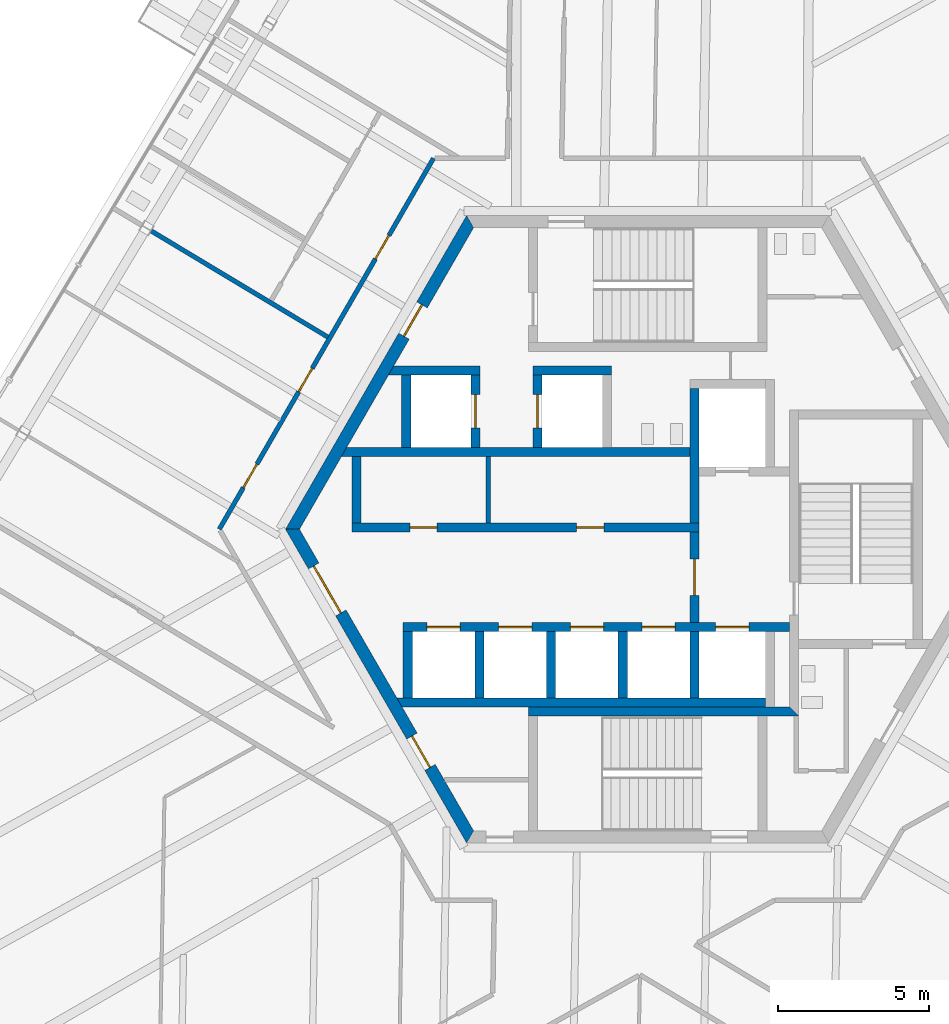
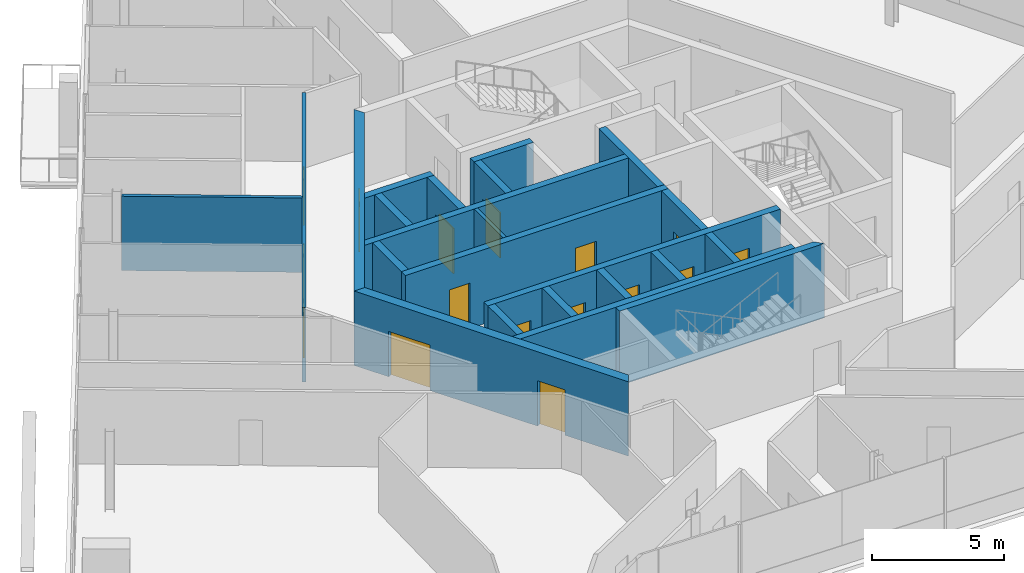
# One storey, part 12 of 19: 23 walls, 16 doors, 16 openings.
"""IFC4 building model written with IfcOpenShell, lengths in metres."""

from ifc_helpers import new_model, si_unit, direction, frame, frame_2d, origin, place, context, subcontext, project, spatial, polyline, rectangle, outline, extrude, source, transform, mapped, material, layer, layer_set, type_object, element, fill, save


model = new_model("IFC4")

# Units and contexts
model_context = context("Model", 3, precision=1e-05, world=origin(), true_north=direction((0.0, 1.0)))
body_context = subcontext(model_context, "Body", "Model", "MODEL_VIEW")
ifc_project = project(units=[si_unit("LENGTHUNIT", "METRE"), si_unit("AREAUNIT", "SQUARE_METRE"), si_unit("VOLUMEUNIT", "CUBIC_METRE"), si_unit("PLANEANGLEUNIT", "RADIAN"), si_unit("MASSUNIT", "GRAM", prefix="KILO")], contexts=[model_context])

# Site, building, storey
site_placement = place(None, origin())
site = spatial("IfcSite", under=ifc_project, at=site_placement, CompositionType="ELEMENT")
building_placement = place(site_placement, origin())
building = spatial("IfcBuilding", under=site, at=building_placement, Name="Triune Harvest Tower", CompositionType="ELEMENT")
storey_placement = place(building_placement, frame((0.0, 0.0, 183.5)))
storey = spatial("IfcBuildingStorey", under=building, at=storey_placement, Name="L47", CompositionType="ELEMENT", Elevation=183.5)

# Wall, opening, door
ifc_material_1 = material(Name="Concrete 70 MPa", Category="concrete")
ifc_layer_1 = layer(ifc_material_1, 0.39990234375)
ifc_layer_set_1 = layer_set([ifc_layer_1], Name="Concrete 70 MPa")
wall_type_1 = type_object("IfcWallType", Name="Core wall 400", PredefinedType="SHEAR", material=ifc_layer_set_1)
shared_shape_1 = source(origin(), body_context, "Body", "SweptSolid", [
    extrude(outline(polyline([(-0.115478515625, -0.199951171875), (11.884521484375, -0.199951171875), (11.653564453125, 0.199951171875), (0.115478515625, 0.199951171875), (-0.115478515625, -0.199951171875)])), origin(), (0.0, 0.0, 1.0), 3.43994140625),
])
wall_1_placement = place(storey_placement, frame((-5.884521484375, 10.1923828125, 0.0), z_axis=(0.0, 0.0, 1.0), x_axis=(-0.499996592174, -0.866027371285, 0.0)))
wall_1 = element("IfcWall", 1, at=wall_1_placement, inside=storey, type_object=wall_type_1, Name="Hexagon 2 wall", PredefinedType="SHEAR", context=body_context, shape_type="MappedRepresentation", body=[
    mapped(shared_shape_1, transform((0.0, 0.0, 0.0), scale=1.0)),
])
opening_1_placement = place(wall_1_placement, frame((3.1845703125, 0.0, 0.0)))
opening_1 = element("IfcOpeningElement", 2, at=opening_1_placement, cuts=wall_1, Name="Opening CD-SVP", PredefinedType="OPENING", context=body_context, shape_type="SweptSolid", body=[
    extrude(rectangle(XDim=1.199951171875, YDim=2.10009765625, at=frame_2d((0.60009765625, 1.050048828125))), frame((0.0, 0.2099609375, 0.0), z_axis=(0.0, -1.0, 0.0), x_axis=(1.0, 0.0, 0.0)), (0.0, 0.0, 1.0), 0.419921875),
])
ifc_material_2 = material(Name="Steel S235", Category="steel")
door_type_1 = type_object("IfcDoorType", Name="Service door 1200 FD120", OperationType="SINGLE_SWING_LEFT", PredefinedType="DOOR", material=ifc_material_2)
door_1_placement = place(opening_1_placement, frame((1.199951171875, 0.0, 0.0), z_axis=(0.0, 0.0, 1.0), x_axis=(-1.0, 0.0, 0.0)))
door_1 = element("IfcDoor", 3, at=door_1_placement, inside=storey, type_object=door_type_1, Name="Door CD-SVP", OperationType="SINGLE_SWING_RIGHT", OverallHeight=2.10009765625, OverallWidth=1.199951171875, PredefinedType="DOOR", context=body_context, shape_type="SweptSolid", body=[
    extrude(rectangle(XDim=1.199951171875, YDim=2.10009765625, at=frame_2d((0.60009765625, 1.050048828125))), frame((0.0, 0.02490234375, 0.0), z_axis=(0.0, -1.0, 0.0), x_axis=(1.0, 0.0, 0.0)), (0.0, 0.0, 1.0), 0.050048828125),
])
fill(opening_1, door_1)

# Wall, openings, doors
wall_2_placement = place(storey_placement, frame((-11.76904296875, 0.0, 0.0), z_axis=(0.0, 0.0, 1.0), x_axis=(0.499996592174, -0.866027371285, 0.0)))
wall_2 = element("IfcWall", 4, at=wall_2_placement, inside=storey, type_object=wall_type_1, Name="Hexagon 3 wall", PredefinedType="SHEAR", context=body_context, shape_type="MappedRepresentation", body=[
    mapped(shared_shape_1, transform((0.0, 0.0, 0.0), scale=1.0)),
])
opening_2_placement = place(wall_2_placement, frame((1.404541015625, 0.0, 0.0)))
opening_2 = element("IfcOpeningElement", 5, at=opening_2_placement, cuts=wall_2, Name="Opening CD-LS", PredefinedType="OPENING", context=body_context, shape_type="SweptSolid", body=[
    extrude(rectangle(XDim=1.800048828125, YDim=2.10009765625, at=frame_2d((0.89990234375, 1.050048828125))), frame((0.0, 0.2099609375, 0.0), z_axis=(0.0, -1.0, 0.0), x_axis=(1.0, 0.0, 0.0)), (0.0, 0.0, 1.0), 0.419921875),
])
opening_3_placement = place(wall_2_placement, frame((7.91455078125, 0.0, 0.0)))
opening_3 = element("IfcOpeningElement", 6, at=opening_3_placement, cuts=wall_2, Name="Opening CD-SWP", PredefinedType="OPENING", context=body_context, shape_type="SweptSolid", body=[
    extrude(rectangle(XDim=1.199951171875, YDim=2.10009765625, at=frame_2d((0.60009765625, 1.050048828125))), frame((0.0, 0.2099609375, 0.0), z_axis=(0.0, -1.0, 0.0), x_axis=(1.0, 0.0, 0.0)), (0.0, 0.0, 1.0), 0.419921875),
])
ifc_material_3 = material(Name="Steel S235", Category="steel")
door_type_2 = type_object("IfcDoorType", Name="Lobby door 1800 FD120", OperationType="DOUBLE_DOOR_DOUBLE_SWING", PredefinedType="DOOR", material=ifc_material_3)
door_2_placement = place(opening_2_placement, frame((1.800048828125, 0.0, 0.0), z_axis=(0.0, 0.0, 1.0), x_axis=(-1.0, 0.0, 0.0)))
door_2 = element("IfcDoor", 7, at=door_2_placement, inside=storey, type_object=door_type_2, Name="Door CD-LS", OperationType="DOUBLE_DOOR_DOUBLE_SWING", OverallHeight=2.10009765625, OverallWidth=1.800048828125, PredefinedType="DOOR", context=body_context, shape_type="SweptSolid", body=[
    extrude(rectangle(XDim=1.800048828125, YDim=2.10009765625, at=frame_2d((0.89990234375, 1.050048828125))), frame((0.0, 0.02490234375, 0.0), z_axis=(0.0, -1.0, 0.0), x_axis=(1.0, 0.0, 0.0)), (0.0, 0.0, 1.0), 0.050048828125),
])
fill(opening_2, door_2)
door_3_placement = place(opening_3_placement, frame((1.199951171875, 0.0, 0.0), z_axis=(0.0, 0.0, 1.0), x_axis=(-1.0, 0.0, 0.0)))
door_3 = element("IfcDoor", 8, at=door_3_placement, inside=storey, type_object=door_type_1, Name="Door CD-SWP", OperationType="SINGLE_SWING_RIGHT", OverallHeight=2.10009765625, OverallWidth=1.199951171875, PredefinedType="DOOR", context=body_context, shape_type="SweptSolid", body=[
    extrude(rectangle(XDim=1.199951171875, YDim=2.10009765625, at=frame_2d((0.60009765625, 1.050048828125))), frame((0.0, 0.02490234375, 0.0), z_axis=(0.0, -1.0, 0.0), x_axis=(1.0, 0.0, 0.0)), (0.0, 0.0, 1.0), 0.050048828125),
])
fill(opening_3, door_3)

ifc_material_4 = material(Name="Concrete 70 MPa", Category="concrete")
ifc_layer_2 = layer(ifc_material_4, 0.300048828125)
ifc_layer_set_2 = layer_set([ifc_layer_2], Name="Concrete 70 MPa")
wall_type_2 = type_object("IfcWallType", Name="Core wall 300", PredefinedType="SHEAR", material=ifc_layer_set_2)
shared_shape_2 = source(origin(), body_context, "Body", "SweptSolid", [
    extrude(rectangle(XDim=11.5, YDim=0.300048828125, at=frame_2d((5.75, 0.0))), origin(), (0.0, 0.0, 1.0), 3.43994140625),
])
wall_3_placement = place(storey_placement, frame((-9.800048828125, 0.06005859375, 0.0), z_axis=(0.0, 0.0, 1.0), x_axis=(1.0, 0.0, 0.0)))
wall_3 = element("IfcWall", 9, at=wall_3_placement, inside=storey, type_object=wall_type_2, Name="North front wall", PredefinedType="SHEAR", context=body_context, shape_type="MappedRepresentation", body=[
    mapped(shared_shape_2, transform((0.0, 0.0, 0.0), scale=1.0)),
])
opening_4_placement = place(wall_3_placement, frame((1.922607421875, 0.0, 0.0)))
opening_4 = element("IfcOpeningElement", 10, at=opening_4_placement, cuts=wall_3, Name="Opening CD-RN1", PredefinedType="OPENING", context=body_context, shape_type="SweptSolid", body=[
    extrude(rectangle(XDim=0.89990234375, YDim=2.10009765625, at=frame_2d((0.449951171875, 1.050048828125))), frame((0.0, 0.16015625, 0.0), z_axis=(0.0, -1.0, 0.0), x_axis=(1.0, 0.0, 0.0)), (0.0, 0.0, 1.0), 0.320068359375),
])
opening_5_placement = place(wall_3_placement, frame((7.447509765625, 0.0, 0.0)))
opening_5 = element("IfcOpeningElement", 11, at=opening_5_placement, cuts=wall_3, Name="Opening CD-RN2", PredefinedType="OPENING", context=body_context, shape_type="SweptSolid", body=[
    extrude(rectangle(XDim=0.89990234375, YDim=2.10009765625, at=frame_2d((0.449951171875, 1.050048828125))), frame((0.0, 0.16015625, 0.0), z_axis=(0.0, -1.0, 0.0), x_axis=(1.0, 0.0, 0.0)), (0.0, 0.0, 1.0), 0.320068359375),
])
ifc_material_5 = material(Name="Steel S235", Category="steel")
door_type_3 = type_object("IfcDoorType", Name="Riser door 900 FD120", OperationType="SINGLE_SWING_LEFT", PredefinedType="DOOR", material=ifc_material_5)
door_4_placement = place(opening_4_placement, frame((0.89990234375, 0.0, 0.0), z_axis=(0.0, 0.0, 1.0), x_axis=(-1.0, 0.0, 0.0)))
door_4 = element("IfcDoor", 12, at=door_4_placement, inside=storey, type_object=door_type_3, Name="Door CD-RN1", OperationType="SINGLE_SWING_RIGHT", OverallHeight=2.10009765625, OverallWidth=0.89990234375, PredefinedType="DOOR", context=body_context, shape_type="SweptSolid", body=[
    extrude(rectangle(XDim=0.89990234375, YDim=2.10009765625, at=frame_2d((0.449951171875, 1.050048828125))), frame((0.0, 0.02490234375, 0.0), z_axis=(0.0, -1.0, 0.0), x_axis=(1.0, 0.0, 0.0)), (0.0, 0.0, 1.0), 0.050048828125),
])
fill(opening_4, door_4)
door_5_placement = place(opening_5_placement, frame((0.89990234375, 0.0, 0.0), z_axis=(0.0, 0.0, 1.0), x_axis=(-1.0, 0.0, 0.0)))
door_5 = element("IfcDoor", 13, at=door_5_placement, inside=storey, type_object=door_type_3, Name="Door CD-RN2", OperationType="SINGLE_SWING_RIGHT", OverallHeight=2.10009765625, OverallWidth=0.89990234375, PredefinedType="DOOR", context=body_context, shape_type="SweptSolid", body=[
    extrude(rectangle(XDim=0.89990234375, YDim=2.10009765625, at=frame_2d((0.449951171875, 1.050048828125))), frame((0.0, 0.02490234375, 0.0), z_axis=(0.0, -1.0, 0.0), x_axis=(1.0, 0.0, 0.0)), (0.0, 0.0, 1.0), 0.050048828125),
])
fill(opening_5, door_5)

# Walls
shared_shape_3 = source(origin(), body_context, "Body", "SweptSolid", [
    extrude(outline(polyline([(11.199951171875, -0.14990234375), (-0.34912109375, -0.14990234375), (-0.17578125, 0.14990234375), (11.199951171875, 0.14990234375), (11.199951171875, -0.14990234375)])), origin(), (0.0, 0.0, 1.0), 3.43994140625),
])
wall_4_placement = place(storey_placement, frame((-9.800048828125, 2.56005859375, 0.0), z_axis=(0.0, 0.0, 1.0), x_axis=(1.0, 0.0, 0.0)))
element("IfcWall", 14, at=wall_4_placement, inside=storey, type_object=wall_type_2, Name="North back wall", PredefinedType="SHEAR", context=body_context, shape_type="MappedRepresentation", body=[
    mapped(shared_shape_3, transform((0.0, 0.0, 0.0), scale=1.0)),
])
shared_shape_4 = source(origin(), body_context, "Body", "SweptSolid", [
    extrude(rectangle(XDim=4.449951171875, YDim=0.300048828125, at=frame_2d((2.22509765625, 0.0))), origin(), (0.0, 0.0, 1.0), 3.43994140625),
])
wall_5_placement = place(storey_placement, frame((1.550048828125, 0.2099609375, 0.0), z_axis=(0.0, 0.0, 1.0), x_axis=(0.0, 1.0, 0.0)))
element("IfcWall", 15, at=wall_5_placement, inside=storey, type_object=wall_type_2, Name="Ff1 west wall", PredefinedType="SHEAR", context=body_context, shape_type="MappedRepresentation", body=[
    mapped(shared_shape_4, transform((0.0, 0.0, 0.0), scale=1.0)),
])

# Wall, opening, door
shared_shape_5 = source(origin(), body_context, "Body", "SweptSolid", [
    extrude(rectangle(XDim=3.0, YDim=0.300048828125, at=frame_2d((1.5, 0.0))), origin(), (0.0, 0.0, 1.0), 3.43994140625),
])
wall_6_placement = place(storey_placement, frame((1.550048828125, -3.090087890625, 0.0), z_axis=(0.0, 0.0, 1.0), x_axis=(0.0, 1.0, 0.0)))
wall_6 = element("IfcWall", 16, at=wall_6_placement, inside=storey, type_object=wall_type_2, Name="Ff lobby west wall", PredefinedType="SHEAR", context=body_context, shape_type="MappedRepresentation", body=[
    mapped(shared_shape_5, transform((0.0, 0.0, 0.0), scale=1.0)),
])
opening_6_placement = place(wall_6_placement, frame((0.89990234375, 0.0, 0.0)))
opening_6 = element("IfcOpeningElement", 17, at=opening_6_placement, cuts=wall_6, Name="Opening CD-FL", PredefinedType="OPENING", context=body_context, shape_type="SweptSolid", body=[
    extrude(rectangle(XDim=1.199951171875, YDim=2.10009765625, at=frame_2d((0.60009765625, 1.050048828125))), frame((0.0, 0.16015625, 0.0), z_axis=(0.0, -1.0, 0.0), x_axis=(1.0, 0.0, 0.0)), (0.0, 0.0, 1.0), 0.320068359375),
])
ifc_material_6 = material(Name="Steel S235", Category="steel")
door_type_4 = type_object("IfcDoorType", Name="Firefighters' lobby door 1200 FD120", OperationType="SINGLE_SWING_LEFT", PredefinedType="DOOR", material=ifc_material_6)
door_6_placement = place(opening_6_placement, frame((1.199951171875, 0.0, 0.0), z_axis=(0.0, 0.0, 1.0), x_axis=(-1.0, 0.0, 0.0)))
door_6 = element("IfcDoor", 18, at=door_6_placement, inside=storey, type_object=door_type_4, Name="Door CD-FL", OperationType="SINGLE_SWING_RIGHT", OverallHeight=2.10009765625, OverallWidth=1.199951171875, PredefinedType="DOOR", context=body_context, shape_type="SweptSolid", body=[
    extrude(rectangle(XDim=1.199951171875, YDim=2.10009765625, at=frame_2d((0.60009765625, 1.050048828125))), frame((0.0, 0.02490234375, 0.0), z_axis=(0.0, -1.0, 0.0), x_axis=(1.0, 0.0, 0.0)), (0.0, 0.0, 1.0), 0.050048828125),
])
fill(opening_6, door_6)

# Wall, openings, doors
shared_shape_6 = source(origin(), body_context, "Body", "SweptSolid", [
    extrude(rectangle(XDim=12.800048828125, YDim=0.300048828125, at=frame_2d((6.39990234375, 0.0))), origin(), (0.0, 0.0, 1.0), 3.43994140625),
])
wall_7_placement = place(storey_placement, frame((-8.10009765625, -3.239990234375, 0.0), z_axis=(0.0, 0.0, 1.0), x_axis=(1.0, 0.0, 0.0)))
wall_7 = element("IfcWall", 19, at=wall_7_placement, inside=storey, type_object=wall_type_2, Name="South front wall", PredefinedType="SHEAR", context=body_context, shape_type="MappedRepresentation", body=[
    mapped(shared_shape_6, transform((0.0, 0.0, 0.0), scale=1.0)),
])
opening_7_placement = place(wall_7_placement, frame((0.78759765625, 0.0, 0.0)))
opening_7 = element("IfcOpeningElement", 20, at=opening_7_placement, cuts=wall_7, Name="Opening LD-HR1-47", PredefinedType="OPENING", context=body_context, shape_type="SweptSolid", body=[
    extrude(rectangle(XDim=1.10009765625, YDim=2.10009765625, at=frame_2d((0.550048828125, 1.050048828125))), frame((0.0, 0.16015625, 0.0), z_axis=(0.0, -1.0, 0.0), x_axis=(1.0, 0.0, 0.0)), (0.0, 0.0, 1.0), 0.320068359375),
])
opening_8_placement = place(wall_7_placement, frame((3.16259765625, 0.0, 0.0)))
opening_8 = element("IfcOpeningElement", 21, at=opening_8_placement, cuts=wall_7, Name="Opening LD-HR2-47", PredefinedType="OPENING", context=body_context, shape_type="SweptSolid", body=[
    extrude(rectangle(XDim=1.10009765625, YDim=2.10009765625, at=frame_2d((0.550048828125, 1.050048828125))), frame((0.0, 0.16015625, 0.0), z_axis=(0.0, -1.0, 0.0), x_axis=(1.0, 0.0, 0.0)), (0.0, 0.0, 1.0), 0.320068359375),
])
opening_9_placement = place(wall_7_placement, frame((5.53759765625, 0.0, 0.0)))
opening_9 = element("IfcOpeningElement", 22, at=opening_9_placement, cuts=wall_7, Name="Opening LD-HR3-47", PredefinedType="OPENING", context=body_context, shape_type="SweptSolid", body=[
    extrude(rectangle(XDim=1.10009765625, YDim=2.10009765625, at=frame_2d((0.550048828125, 1.050048828125))), frame((0.0, 0.16015625, 0.0), z_axis=(0.0, -1.0, 0.0), x_axis=(1.0, 0.0, 0.0)), (0.0, 0.0, 1.0), 0.320068359375),
])
opening_10_placement = place(wall_7_placement, frame((7.91259765625, 0.0, 0.0)))
opening_10 = element("IfcOpeningElement", 23, at=opening_10_placement, cuts=wall_7, Name="Opening LD-HR4-47", PredefinedType="OPENING", context=body_context, shape_type="SweptSolid", body=[
    extrude(rectangle(XDim=1.10009765625, YDim=2.10009765625, at=frame_2d((0.550048828125, 1.050048828125))), frame((0.0, 0.16015625, 0.0), z_axis=(0.0, -1.0, 0.0), x_axis=(1.0, 0.0, 0.0)), (0.0, 0.0, 1.0), 0.320068359375),
])
opening_11_placement = place(wall_7_placement, frame((10.35009765625, 0.0, 0.0)))
opening_11 = element("IfcOpeningElement", 24, at=opening_11_placement, cuts=wall_7, Name="Opening LD-FF2-47", PredefinedType="OPENING", context=body_context, shape_type="SweptSolid", body=[
    extrude(rectangle(XDim=1.10009765625, YDim=2.10009765625, at=frame_2d((0.550048828125, 1.050048828125))), frame((0.0, 0.16015625, 0.0), z_axis=(0.0, -1.0, 0.0), x_axis=(1.0, 0.0, 0.0)), (0.0, 0.0, 1.0), 0.320068359375),
])
ifc_material_7 = material(Name="Stainless steel AISI 304", Category="steel")
door_type_5 = type_object("IfcDoorType", Name="Landing door 1100 x 2100", OperationType="DOUBLE_DOOR_SLIDING", PredefinedType="DOOR", material=ifc_material_7)
door_7_placement = place(opening_7_placement, origin())
door_7 = element("IfcDoor", 25, at=door_7_placement, inside=storey, type_object=door_type_5, Name="Door LD-HR1-47", OperationType="DOUBLE_DOOR_SLIDING", OverallHeight=2.10009765625, OverallWidth=1.10009765625, PredefinedType="DOOR", context=body_context, shape_type="SweptSolid", body=[
    extrude(rectangle(XDim=1.10009765625, YDim=2.10009765625, at=frame_2d((0.550048828125, 1.050048828125))), frame((0.0, 0.02490234375, 0.0), z_axis=(0.0, -1.0, 0.0), x_axis=(1.0, 0.0, 0.0)), (0.0, 0.0, 1.0), 0.050048828125),
])
fill(opening_7, door_7)
door_8_placement = place(opening_8_placement, origin())
door_8 = element("IfcDoor", 26, at=door_8_placement, inside=storey, type_object=door_type_5, Name="Door LD-HR2-47", OperationType="DOUBLE_DOOR_SLIDING", OverallHeight=2.10009765625, OverallWidth=1.10009765625, PredefinedType="DOOR", context=body_context, shape_type="SweptSolid", body=[
    extrude(rectangle(XDim=1.10009765625, YDim=2.10009765625, at=frame_2d((0.550048828125, 1.050048828125))), frame((0.0, 0.02490234375, 0.0), z_axis=(0.0, -1.0, 0.0), x_axis=(1.0, 0.0, 0.0)), (0.0, 0.0, 1.0), 0.050048828125),
])
fill(opening_8, door_8)
door_9_placement = place(opening_9_placement, origin())
door_9 = element("IfcDoor", 27, at=door_9_placement, inside=storey, type_object=door_type_5, Name="Door LD-HR3-47", OperationType="DOUBLE_DOOR_SLIDING", OverallHeight=2.10009765625, OverallWidth=1.10009765625, PredefinedType="DOOR", context=body_context, shape_type="SweptSolid", body=[
    extrude(rectangle(XDim=1.10009765625, YDim=2.10009765625, at=frame_2d((0.550048828125, 1.050048828125))), frame((0.0, 0.02490234375, 0.0), z_axis=(0.0, -1.0, 0.0), x_axis=(1.0, 0.0, 0.0)), (0.0, 0.0, 1.0), 0.050048828125),
])
fill(opening_9, door_9)
door_10_placement = place(opening_10_placement, origin())
door_10 = element("IfcDoor", 28, at=door_10_placement, inside=storey, type_object=door_type_5, Name="Door LD-HR4-47", OperationType="DOUBLE_DOOR_SLIDING", OverallHeight=2.10009765625, OverallWidth=1.10009765625, PredefinedType="DOOR", context=body_context, shape_type="SweptSolid", body=[
    extrude(rectangle(XDim=1.10009765625, YDim=2.10009765625, at=frame_2d((0.550048828125, 1.050048828125))), frame((0.0, 0.02490234375, 0.0), z_axis=(0.0, -1.0, 0.0), x_axis=(1.0, 0.0, 0.0)), (0.0, 0.0, 1.0), 0.050048828125),
])
fill(opening_10, door_10)
door_11_placement = place(opening_11_placement, origin())
door_11 = element("IfcDoor", 29, at=door_11_placement, inside=storey, type_object=door_type_5, Name="Door LD-FF2-47", OperationType="DOUBLE_DOOR_SLIDING", OverallHeight=2.10009765625, OverallWidth=1.10009765625, PredefinedType="DOOR", context=body_context, shape_type="SweptSolid", body=[
    extrude(rectangle(XDim=1.10009765625, YDim=2.10009765625, at=frame_2d((0.550048828125, 1.050048828125))), frame((0.0, 0.02490234375, 0.0), z_axis=(0.0, -1.0, 0.0), x_axis=(1.0, 0.0, 0.0)), (0.0, 0.0, 1.0), 0.050048828125),
])
fill(opening_11, door_11)

# Walls
shared_shape_7 = source(origin(), body_context, "Body", "SweptSolid", [
    extrude(outline(polyline([(12.0, -0.14990234375), (-0.039794921875, -0.14990234375), (-0.212890625, 0.14990234375), (12.0, 0.14990234375), (12.0, -0.14990234375)])), origin(), (0.0, 0.0, 1.0), 3.43994140625),
])
wall_8_placement = place(storey_placement, frame((-8.10009765625, -5.739990234375, 0.0), z_axis=(0.0, 0.0, 1.0), x_axis=(1.0, 0.0, 0.0)))
element("IfcWall", 30, at=wall_8_placement, inside=storey, type_object=wall_type_2, Name="South back wall", PredefinedType="SHEAR", context=body_context, shape_type="MappedRepresentation", body=[
    mapped(shared_shape_7, transform((0.0, 0.0, 0.0), scale=1.0)),
])
shared_shape_8 = source(origin(), body_context, "Body", "SweptSolid", [
    extrude(rectangle(XDim=2.2001953125, YDim=0.300048828125, at=frame_2d((1.10009765625, 0.0))), origin(), (0.0, 0.0, 1.0), 3.43994140625),
])
for number, where, z_axis, x_axis, name in (
    (31, (-7.949951171875, -5.590087890625, 0.0), (0.0, 0.0, 1.0), (0.0, 1.0, 0.0), "South end west wall"),
    (32, (1.550048828125, -5.590087890625, 0.0), (0.0, 0.0, 1.0), (0.0, 1.0, 0.0), "Ff2 west wall"),
    (33, (-5.574951171875, -5.590087890625, 0.0), (0.0, 0.0, 1.0), (0.0, 1.0, 0.0), "South cross 1 wall"),
    (34, (-3.199951171875, -5.590087890625, 0.0), (0.0, 0.0, 1.0), (0.0, 1.0, 0.0), "South cross 2 wall"),
    (35, (-0.824951171875, -5.590087890625, 0.0), (0.0, 0.0, 1.0), (0.0, 1.0, 0.0), "South cross 3 wall"),
):
    element("IfcWall", number, at=place(storey_placement, frame(where, z_axis=z_axis, x_axis=x_axis)), inside=storey, type_object=wall_type_2, Name=name, PredefinedType="SHEAR", context=body_context, shape_type="MappedRepresentation", body=[
        mapped(shared_shape_8, transform((0.0, 0.0, 0.0), scale=1.0)),
    ])
shared_shape_9 = source(origin(), body_context, "Body", "SweptSolid", [
    extrude(rectangle(XDim=2.199951171875, YDim=0.300048828125, at=frame_2d((1.10009765625, 0.0))), origin(), (0.0, 0.0, 1.0), 3.43994140625),
])
wall_9_placement = place(storey_placement, frame((-9.64990234375, 0.2099609375, 0.0), z_axis=(0.0, 0.0, 1.0), x_axis=(0.0, 1.0, 0.0)))
element("IfcWall", 36, at=wall_9_placement, inside=storey, type_object=wall_type_2, Name="North end west wall", PredefinedType="SHEAR", context=body_context, shape_type="MappedRepresentation", body=[
    mapped(shared_shape_9, transform((0.0, 0.0, 0.0), scale=1.0)),
])
shared_shape_10 = source(origin(), body_context, "Body", "SweptSolid", [
    extrude(outline(polyline([(0.0, -0.14990234375), (8.949951171875, -0.14990234375), (8.64990234375, 0.14990234375), (0.0, 0.14990234375), (0.0, -0.14990234375)])), origin(), (0.0, 0.0, 1.0), 3.43994140625),
])
wall_10_placement = place(storey_placement, frame((-3.949951171875, -6.0400390625, 0.0), z_axis=(0.0, 0.0, 1.0), x_axis=(1.0, 0.0, 0.0)))
element("IfcWall", 37, at=wall_10_placement, inside=storey, type_object=wall_type_2, Name="Stair s north wall", PredefinedType="SHEAR", context=body_context, shape_type="MappedRepresentation", body=[
    mapped(shared_shape_10, transform((0.0, 0.0, 0.0), scale=1.0)),
])
shared_shape_11 = source(origin(), body_context, "Body", "SweptSolid", [
    extrude(outline(polyline([(2.60009765625, -0.14990234375), (-0.440185546875, -0.14990234375), (-0.26708984375, 0.14990234375), (2.60009765625, 0.14990234375), (2.60009765625, -0.14990234375)])), origin(), (0.0, 0.0, 1.0), 3.43994140625),
])
wall_11_placement = place(storey_placement, frame((-8.14990234375, 5.260009765625, 0.0), z_axis=(0.0, 0.0, 1.0), x_axis=(1.0, 0.0, 0.0)))
element("IfcWall", 38, at=wall_11_placement, inside=storey, type_object=wall_type_2, Name="Sv1 north wall", PredefinedType="SHEAR", context=body_context, shape_type="MappedRepresentation", body=[
    mapped(shared_shape_11, transform((0.0, 0.0, 0.0), scale=1.0)),
])
shared_shape_12 = source(origin(), body_context, "Body", "SweptSolid", [
    extrude(rectangle(XDim=2.400146484375, YDim=0.300048828125, at=frame_2d((1.2001953125, 0.0))), origin(), (0.0, 0.0, 1.0), 3.43994140625),
])
wall_12_placement = place(storey_placement, frame((-8.0, 2.7099609375, 0.0), z_axis=(0.0, 0.0, 1.0), x_axis=(0.0, 1.0, 0.0)))
element("IfcWall", 39, at=wall_12_placement, inside=storey, type_object=wall_type_2, Name="Sv1 west wall", PredefinedType="SHEAR", context=body_context, shape_type="MappedRepresentation", body=[
    mapped(shared_shape_12, transform((0.0, 0.0, 0.0), scale=1.0)),
])

# Wall, opening, door
wall_13_placement = place(storey_placement, frame((-5.699951171875, 2.7099609375, 0.0), z_axis=(0.0, 0.0, 1.0), x_axis=(0.0, 1.0, 0.0)))
wall_13 = element("IfcWall", 40, at=wall_13_placement, inside=storey, type_object=wall_type_2, Name="Sv1 east wall", PredefinedType="SHEAR", context=body_context, shape_type="MappedRepresentation", body=[
    mapped(shared_shape_12, transform((0.0, 0.0, 0.0), scale=1.0)),
])
opening_12_placement = place(wall_13_placement, frame((0.64990234375, 0.0, 0.0)))
opening_12 = element("IfcOpeningElement", 41, at=opening_12_placement, cuts=wall_13, Name="Opening LD-SV1-47", PredefinedType="OPENING", context=body_context, shape_type="SweptSolid", body=[
    extrude(rectangle(XDim=1.10009765625, YDim=2.10009765625, at=frame_2d((0.550048828125, 1.050048828125))), frame((0.0, 0.16015625, 0.0), z_axis=(0.0, -1.0, 0.0), x_axis=(1.0, 0.0, 0.0)), (0.0, 0.0, 1.0), 0.320068359375),
])
door_12_placement = place(opening_12_placement, origin())
door_12 = element("IfcDoor", 42, at=door_12_placement, inside=storey, type_object=door_type_5, Name="Door LD-SV1-47", OperationType="DOUBLE_DOOR_SLIDING", OverallHeight=2.10009765625, OverallWidth=1.10009765625, PredefinedType="DOOR", context=body_context, shape_type="SweptSolid", body=[
    extrude(rectangle(XDim=1.10009765625, YDim=2.10009765625, at=frame_2d((0.550048828125, 1.050048828125))), frame((0.0, 0.02490234375, 0.0), z_axis=(0.0, -1.0, 0.0), x_axis=(1.0, 0.0, 0.0)), (0.0, 0.0, 1.0), 0.050048828125),
])
fill(opening_12, door_12)

wall_14_placement = place(storey_placement, frame((-3.64990234375, 2.7099609375, 0.0), z_axis=(0.0, 0.0, 1.0), x_axis=(0.0, 1.0, 0.0)))
wall_14 = element("IfcWall", 43, at=wall_14_placement, inside=storey, type_object=wall_type_2, Name="Sv2 west wall", PredefinedType="SHEAR", context=body_context, shape_type="MappedRepresentation", body=[
    mapped(shared_shape_12, transform((0.0, 0.0, 0.0), scale=1.0)),
])
opening_13_placement = place(wall_14_placement, frame((0.64990234375, 0.0, 0.0)))
opening_13 = element("IfcOpeningElement", 44, at=opening_13_placement, cuts=wall_14, Name="Opening LD-SV2-47", PredefinedType="OPENING", context=body_context, shape_type="SweptSolid", body=[
    extrude(rectangle(XDim=1.10009765625, YDim=2.10009765625, at=frame_2d((0.550048828125, 1.050048828125))), frame((0.0, 0.16015625, 0.0), z_axis=(0.0, -1.0, 0.0), x_axis=(1.0, 0.0, 0.0)), (0.0, 0.0, 1.0), 0.320068359375),
])
door_13_placement = place(opening_13_placement, origin())
door_13 = element("IfcDoor", 45, at=door_13_placement, inside=storey, type_object=door_type_5, Name="Door LD-SV2-47", OperationType="DOUBLE_DOOR_SLIDING", OverallHeight=2.10009765625, OverallWidth=1.10009765625, PredefinedType="DOOR", context=body_context, shape_type="SweptSolid", body=[
    extrude(rectangle(XDim=1.10009765625, YDim=2.10009765625, at=frame_2d((0.550048828125, 1.050048828125))), frame((0.0, 0.02490234375, 0.0), z_axis=(0.0, -1.0, 0.0), x_axis=(1.0, 0.0, 0.0)), (0.0, 0.0, 1.0), 0.050048828125),
])
fill(opening_13, door_13)

# Walls
shared_shape_13 = source(origin(), body_context, "Body", "SweptSolid", [
    extrude(rectangle(XDim=2.60009765625, YDim=0.300048828125, at=frame_2d((1.300048828125, 0.0))), origin(), (0.0, 0.0, 1.0), 3.43994140625),
])
wall_15_placement = place(storey_placement, frame((-3.800048828125, 5.260009765625, 0.0), z_axis=(0.0, 0.0, 1.0), x_axis=(1.0, 0.0, 0.0)))
element("IfcWall", 46, at=wall_15_placement, inside=storey, type_object=wall_type_2, Name="Sv2 north wall", PredefinedType="SHEAR", context=body_context, shape_type="MappedRepresentation", body=[
    mapped(shared_shape_13, transform((0.0, 0.0, 0.0), scale=1.0)),
])
ifc_material_8 = material(Name="Concrete masonry unit", Category="masonry")
ifc_layer_3 = layer(ifc_material_8, 0.14990234375)
ifc_layer_set_3 = layer_set([ifc_layer_3], Name="Concrete masonry unit")
wall_type_3 = type_object("IfcWallType", Name="Block partition 150", PredefinedType="PARTITIONING", material=ifc_layer_set_3)
shared_shape_14 = source(origin(), body_context, "Body", "SweptSolid", [
    extrude(rectangle(XDim=2.199951171875, YDim=0.14990234375, at=frame_2d((1.10009765625, 0.0))), origin(), (0.0, 0.0, 1.0), 3.43994140625),
])
wall_16_placement = place(storey_placement, frame((-5.280029296875, 0.2099609375, 0.0), z_axis=(0.0, 0.0, 1.0), x_axis=(0.0, 1.0, 0.0)))
element("IfcWall", 47, at=wall_16_placement, inside=storey, type_object=wall_type_3, Name="Row n part 1 wall", PredefinedType="PARTITIONING", context=body_context, shape_type="MappedRepresentation", body=[
    mapped(shared_shape_14, transform((0.0, 0.0, 0.0), scale=1.0)),
])
ifc_material_9 = material(Name="Gypsum board on steel studs", Category="steel")
ifc_layer_4 = layer(ifc_material_9, 0.14990234375)
ifc_layer_set_4 = layer_set([ifc_layer_4], Name="Gypsum board on steel studs")
wall_type_4 = type_object("IfcWallType", Name="Fire Partition 150 mm", PredefinedType="PARTITIONING", material=ifc_layer_set_4)
shared_shape_15 = source(origin(), body_context, "Body", "SweptSolid", [
    extrude(rectangle(XDim=6.84912109375, YDim=0.14990234375, at=frame_2d((3.424560546875, 0.0))), origin(), (0.0, 0.0, 1.0), 3.43994140625),
])
wall_17_placement = place(storey_placement, frame((-16.46044921875, 9.890380859375, 0.0), z_axis=(0.0, 0.0, 1.0), x_axis=(0.857165653174, -0.515040816847, 0.0)))
element("IfcWall", 48, at=wall_17_placement, inside=storey, type_object=wall_type_4, Name="Partition L47 016", PredefinedType="PARTITIONING", context=body_context, shape_type="MappedRepresentation", body=[
    mapped(shared_shape_15, transform((0.0, 0.0, 0.0), scale=1.0)),
])

# Wall, openings, doors
shared_shape_16 = source(origin(), body_context, "Body", "SweptSolid", [
    extrude(rectangle(XDim=14.194091796875, YDim=0.14990234375, at=frame_2d((7.09716796875, 0.0))), origin(), (0.0, 0.0, 1.0), 3.43994140625),
])
wall_18_placement = place(storey_placement, frame((-14.19384765625, 0.0, 0.0), z_axis=(0.0, 0.0, 1.0), x_axis=(0.499992439803, 0.866029768622, 0.0)))
wall_18 = element("IfcWall", 49, at=wall_18_placement, inside=storey, type_object=wall_type_4, Name="Partition L47 047", PredefinedType="PARTITIONING", context=body_context, shape_type="MappedRepresentation", body=[
    mapped(shared_shape_16, transform((0.0, 0.0, 0.0), scale=1.0)),
])
opening_14_placement = place(wall_18_placement, frame((10.343994140625, 0.0, 0.0)))
opening_14 = element("IfcOpeningElement", 50, at=opening_14_placement, cuts=wall_18, Name="Opening L47-010", PredefinedType="OPENING", context=body_context, shape_type="SweptSolid", body=[
    extrude(rectangle(XDim=0.89990234375, YDim=2.10009765625, at=frame_2d((0.449951171875, 1.050048828125))), frame((0.0, 0.0849609375, 0.0), z_axis=(0.0, -1.0, 0.0), x_axis=(1.0, 0.0, 0.0)), (0.0, 0.0, 1.0), 0.169921875),
])
opening_15_placement = place(wall_18_placement, frame((1.590087890625, 0.0, 0.0)))
opening_15 = element("IfcOpeningElement", 51, at=opening_15_placement, cuts=wall_18, Name="Opening L47-014", PredefinedType="OPENING", context=body_context, shape_type="SweptSolid", body=[
    extrude(rectangle(XDim=0.89990234375, YDim=2.10009765625, at=frame_2d((0.449951171875, 1.050048828125))), frame((0.0, 0.0849609375, 0.0), z_axis=(0.0, -1.0, 0.0), x_axis=(1.0, 0.0, 0.0)), (0.0, 0.0, 1.0), 0.169921875),
])
opening_16_placement = place(wall_18_placement, frame((5.26171875, 0.0, 0.0)))
opening_16 = element("IfcOpeningElement", 52, at=opening_16_placement, cuts=wall_18, Name="Opening L47-015", PredefinedType="OPENING", context=body_context, shape_type="SweptSolid", body=[
    extrude(rectangle(XDim=0.89990234375, YDim=2.10009765625, at=frame_2d((0.449951171875, 1.050048828125))), frame((0.0, 0.0849609375, 0.0), z_axis=(0.0, -1.0, 0.0), x_axis=(1.0, 0.0, 0.0)), (0.0, 0.0, 1.0), 0.169921875),
])
ifc_material_10 = material(Name="Timber and steel door set", Category="steel")
door_type_6 = type_object("IfcDoorType", Name="Single leaf door FD30 left hand 900 x 2100", OperationType="SINGLE_SWING_LEFT", PredefinedType="DOOR", material=ifc_material_10)
door_14_placement = place(opening_15_placement, origin())
door_14 = element("IfcDoor", 53, at=door_14_placement, inside=storey, type_object=door_type_6, Name="Door L47-014 Office 47.14", OperationType="SINGLE_SWING_LEFT", OverallHeight=2.10009765625, OverallWidth=0.89990234375, PredefinedType="DOOR", context=body_context, shape_type="SweptSolid", body=[
    extrude(rectangle(XDim=0.89990234375, YDim=2.10009765625, at=frame_2d((0.449951171875, 1.050048828125))), frame((0.0, 0.02490234375, 0.0), z_axis=(0.0, -1.0, 0.0), x_axis=(1.0, 0.0, 0.0)), (0.0, 0.0, 1.0), 0.050048828125),
])
fill(opening_15, door_14)
door_15_placement = place(opening_16_placement, origin())
door_15 = element("IfcDoor", 54, at=door_15_placement, inside=storey, type_object=door_type_6, Name="Door L47-015 Office 47.15", OperationType="SINGLE_SWING_LEFT", OverallHeight=2.10009765625, OverallWidth=0.89990234375, PredefinedType="DOOR", context=body_context, shape_type="SweptSolid", body=[
    extrude(rectangle(XDim=0.89990234375, YDim=2.10009765625, at=frame_2d((0.449951171875, 1.050048828125))), frame((0.0, 0.02490234375, 0.0), z_axis=(0.0, -1.0, 0.0), x_axis=(1.0, 0.0, 0.0)), (0.0, 0.0, 1.0), 0.050048828125),
])
fill(opening_16, door_15)
ifc_material_11 = material(Name="Timber and steel door set", Category="steel")
door_type_7 = type_object("IfcDoorType", Name="Single leaf door FD30 right hand 900 x 2100", OperationType="SINGLE_SWING_RIGHT", PredefinedType="DOOR", material=ifc_material_11)
door_16_placement = place(opening_14_placement, origin())
door_16 = element("IfcDoor", 55, at=door_16_placement, inside=storey, type_object=door_type_7, Name="Door L47-010 WC lobby 47.10", OperationType="SINGLE_SWING_RIGHT", OverallHeight=2.10009765625, OverallWidth=0.89990234375, PredefinedType="DOOR", context=body_context, shape_type="SweptSolid", body=[
    extrude(rectangle(XDim=0.89990234375, YDim=2.10009765625, at=frame_2d((0.449951171875, 1.050048828125))), frame((0.0, 0.02490234375, 0.0), z_axis=(0.0, -1.0, 0.0), x_axis=(1.0, 0.0, 0.0)), (0.0, 0.0, 1.0), 0.050048828125),
])
fill(opening_14, door_16)

save(model, "model.ifc")
